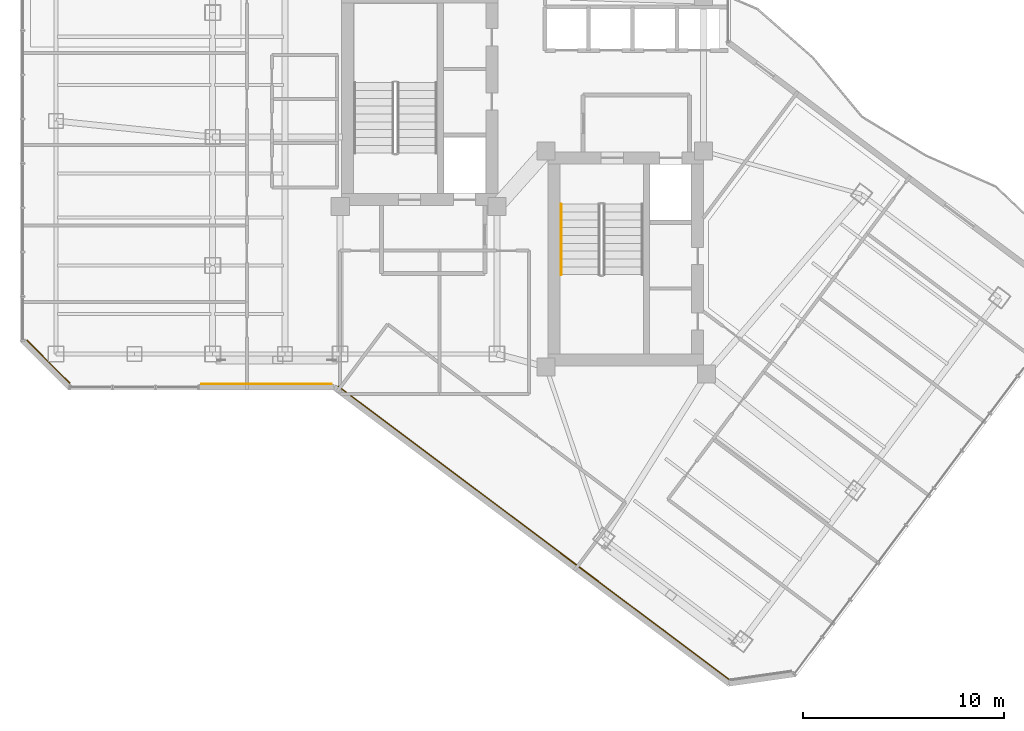
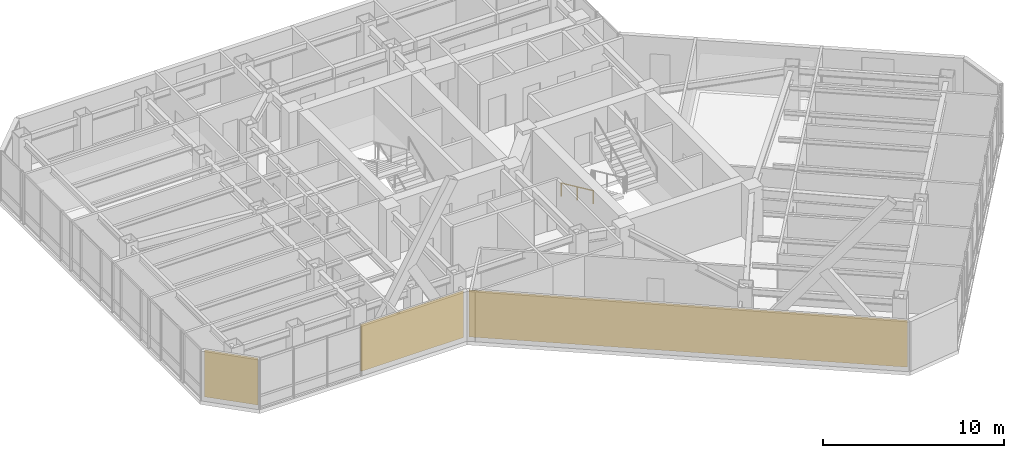
# One storey, part 25 of 27: 3 coverings, 1 railing.
"""IFC4 building model written with IfcOpenShell, lengths in metres."""

import ifcopenshell
import ifcopenshell.guid

model = None  # the IFC model being written
_history = None  # IfcOwnerHistory: only IFC2X3 demands one
_inside = {}  # id of a spatial element -> (the spatial element, [elements in it])
_under = {}  # id of a project, library or spatial element -> (it, [spatial elements below it])
_declared = {}  # id of a project -> (the project, [libraries it declares])
_typed = {}  # id of a type object -> (the type object, [elements of that type])
_made_of = {}  # id of a material, layer set ... -> (it, [elements and type objects made of it])


def new_model(schema):
    """Start an empty IFC model of exactly this schema.

    Asked for "IFC4X3", IfcOpenShell would pick the latest addendum, in which some entities
    have other attributes; the version numbers below select the first issue.
    IFC2X3 requires an IfcOwnerHistory on every rooted entity: one is made here for all.
    """
    global model, _history
    if schema == "IFC4X3":
        model = ifcopenshell.file(schema_version=(4, 3, 0, 0))
    else:
        model = ifcopenshell.file(schema=schema)
    _inside.clear()
    _under.clear()
    _declared.clear()
    _typed.clear()
    _made_of.clear()
    _history = None
    if model.schema == "IFC2X3":
        org = make("IfcOrganization", Name="unknown")
        user = make(
            "IfcPersonAndOrganization",
            ThePerson=make("IfcPerson", FamilyName="unknown"),
            TheOrganization=org,
        )
        app = make(
            "IfcApplication",
            ApplicationDeveloper=org,
            Version="unknown",
            ApplicationFullName="unknown",
            ApplicationIdentifier="unknown",
        )
        _history = make(
            "IfcOwnerHistory",
            OwningUser=user,
            OwningApplication=app,
            ChangeAction="ADDED",
            CreationDate=0,
        )
    return model


def make(cls, **values):
    """One entity of the class cls with the attributes given. An attribute that is None is left unset."""
    return model.create_entity(
        cls, **{name: value for name, value in values.items() if value is not None}
    )


def rooted(cls, **values):
    """An entity with a GlobalId (a new one), such as an element, a storey or a relation."""
    return make(cls, GlobalId=ifcopenshell.guid.new(), OwnerHistory=_history, **values)


def si_unit(unit_type, name, prefix=None):
    """IfcSIUnit, for example si_unit("LENGTHUNIT", "METRE", prefix="MILLI")."""
    return make("IfcSIUnit", UnitType=unit_type, Prefix=prefix, Name=name)


def assignment(units):
    """IfcUnitAssignment: the units of a project."""
    return None if units is None else make("IfcUnitAssignment", Units=units)


def point(xyz):
    """IfcCartesianPoint."""
    return None if xyz is None else make("IfcCartesianPoint", Coordinates=xyz)


def direction(xyz):
    """IfcDirection."""
    return None if xyz is None else make("IfcDirection", DirectionRatios=xyz)


def frame(location, z_axis=None, x_axis=None):
    """IfcAxis2Placement3D, a coordinate frame: its origin and axes. An axis left out is left unset."""
    return make(
        "IfcAxis2Placement3D",
        Location=point(location),
        Axis=direction(z_axis),
        RefDirection=direction(x_axis),
    )


def frame_2d(location, x_axis=None):
    """IfcAxis2Placement2D, a coordinate frame in the plane: its origin and x axis."""
    return make(
        "IfcAxis2Placement2D", Location=point(location), RefDirection=direction(x_axis)
    )


def origin():
    """The frame at (0, 0, 0) with its axes left unset."""
    return frame((0.0, 0.0, 0.0))


def origin_2d():
    """The frame at (0, 0) in the plane with its x axis left unset."""
    return frame_2d((0.0, 0.0))


def place(relative_to, where):
    """IfcLocalPlacement: puts the frame where relative to a parent placement (None: the world)."""
    return make(
        "IfcLocalPlacement", PlacementRelTo=relative_to, RelativePlacement=where
    )


def context(
    kind, dimensions, precision=None, world=None, true_north=None, identifier=None
):
    """IfcGeometricRepresentationContext, for example the 3D "Model" context."""
    return make(
        "IfcGeometricRepresentationContext",
        ContextIdentifier=identifier,
        ContextType=kind,
        CoordinateSpaceDimension=dimensions,
        Precision=precision,
        WorldCoordinateSystem=world,
        TrueNorth=true_north,
    )


def subcontext(parent, identifier, kind, view, scale=None):
    """IfcGeometricRepresentationSubContext, for example "Body" below "Model"."""
    return make(
        "IfcGeometricRepresentationSubContext",
        ContextIdentifier=identifier,
        ContextType=kind,
        ParentContext=parent,
        TargetScale=scale,
        TargetView=view,
    )


def project(units=None, contexts=None):
    """IfcProject with its units and contexts."""
    return rooted(
        "IfcProject",
        Name="project",
        RepresentationContexts=contexts,
        UnitsInContext=assignment(units),
    )


def spatial(cls, under=None, at=None, **own):
    """A site, building, storey or space (cls), placed at a placement, below another one or the project."""
    s = rooted(cls, ObjectPlacement=at, **own)
    if under is not None:
        _under.setdefault(under.id(), (under, []))[1].append(s)
    return s


def profile(cls, at=None, kind="AREA", **sizes):
    """A parametric profile (cls). Its sizes go by their IFC names, for example OverallWidth=200.0."""
    return make(cls, ProfileType=kind, Position=at, **sizes)


def rectangle(**sizes):
    """IfcRectangleProfileDef."""
    return profile("IfcRectangleProfileDef", **sizes)


def circle(**sizes):
    """IfcCircleProfileDef."""
    return profile("IfcCircleProfileDef", **sizes)


def extrude(swept, where, along, depth):
    """IfcExtrudedAreaSolid: the profile swept, set in the frame where, extruded along a direction by depth."""
    return make(
        "IfcExtrudedAreaSolid",
        SweptArea=swept,
        Position=where,
        ExtrudedDirection=direction(along),
        Depth=depth,
    )


def shape(context_of_items, identifier, shape_type, items):
    """IfcShapeRepresentation: the items that make up one representation, for example the "Body"."""
    return make(
        "IfcShapeRepresentation",
        ContextOfItems=context_of_items,
        RepresentationIdentifier=identifier,
        RepresentationType=shape_type,
        Items=items,
    )


def material(Name=None, Category=None):
    """IfcMaterial."""
    return make("IfcMaterial", Name=Name, Category=Category)


def layer(
    of_material, thickness, ventilated=None, Name=None, Category=None, Priority=None
):
    """IfcMaterialLayer: one layer of a wall or slab, of a material (None: an air gap)."""
    return make(
        "IfcMaterialLayer",
        Material=of_material,
        LayerThickness=thickness,
        IsVentilated=ventilated,
        Name=Name,
        Category=Category,
        Priority=Priority,
    )


def layer_set(layers, Name=None):
    """IfcMaterialLayerSet."""
    return make("IfcMaterialLayerSet", MaterialLayers=layers, LayerSetName=Name)


def made_of(thing, what):
    """Note that an element or type object is made of a material, layer set ...; save() writes the relation."""
    if what is not None:
        _made_of.setdefault(what.id(), (what, []))[1].append(thing)
    return thing


def type_object(cls, material=None, **own):
    """A type object (cls), such as IfcWallType, which elements share."""
    return made_of(rooted(cls, **own), material)


def element(
    cls,
    number,
    at=None,
    inside=None,
    cuts=None,
    type_object=None,
    material=None,
    context=None,
    identifier="Body",
    shape_type=None,
    held_by="IfcProductDefinitionShape",
    body=None,
    shapes=None,
    **own,
):
    """One element of the class cls, such as IfcWall. Its Tag is "e" and its number.

    at: its placement. inside: the storey or other place that contains it. cuts: it is an
    opening in that element (IfcRelVoidsElement). A single representation is given by context,
    identifier, shape_type and body (its items); several are given by shapes. held_by: the class
    of the entity that holds the representations. save() writes the other relations.
    """
    e = rooted(cls, Tag="e%d" % number, ObjectPlacement=at, **own)
    if body is not None:
        shapes = [shape(context, identifier, shape_type, body)]
    if shapes is not None:
        e.Representation = make(held_by, Representations=shapes)
    if inside is not None:
        _inside.setdefault(inside.id(), (inside, []))[1].append(e)
    if cuts is not None:
        rooted(
            "IfcRelVoidsElement", RelatingBuildingElement=cuts, RelatedOpeningElement=e
        )
    if type_object is not None:
        _typed.setdefault(type_object.id(), (type_object, []))[1].append(e)
    return made_of(e, material)


def aggregate(whole, parts):
    """IfcRelAggregates: a whole, such as a stair, and the parts it consists of."""
    return rooted("IfcRelAggregates", RelatingObject=whole, RelatedObjects=parts)


def save(model, path):
    """Write the relations noted so far, then the file.

    IfcRelAggregates (storeys below a building ...), IfcRelContainedInSpatialStructure (elements
    in a storey), IfcRelDefinesByType, IfcRelAssociatesMaterial and IfcRelDeclares: one each for
    every whole, place, type object, material and project.
    """
    for whole, parts in _under.values():
        aggregate(whole, parts)
    for where, things in _inside.values():
        rooted(
            "IfcRelContainedInSpatialStructure",
            RelatedElements=things,
            RelatingStructure=where,
        )
    for kind, things in _typed.values():
        rooted("IfcRelDefinesByType", RelatedObjects=things, RelatingType=kind)
    for what, things in _made_of.values():
        rooted("IfcRelAssociatesMaterial", RelatedObjects=things, RelatingMaterial=what)
    for by, libraries in _declared.values():
        rooted("IfcRelDeclares", RelatingContext=by, RelatedDefinitions=libraries)
    model.write(path)


model = new_model("IFC4")

# Units and contexts
model_context = context("Model", 3, precision=1e-05, world=origin(), true_north=direction((0.0, 1.0)))
body_context = subcontext(model_context, "Body", "Model", "MODEL_VIEW")
ifc_project = project(units=[si_unit("LENGTHUNIT", "METRE"), si_unit("AREAUNIT", "SQUARE_METRE"), si_unit("VOLUMEUNIT", "CUBIC_METRE"), si_unit("PLANEANGLEUNIT", "RADIAN"), si_unit("MASSUNIT", "GRAM", prefix="KILO")], contexts=[model_context])

# Site, building, storey
site_placement = place(None, origin())
site = spatial("IfcSite", under=ifc_project, at=site_placement, CompositionType="ELEMENT")
building_placement = place(site_placement, origin())
building = spatial("IfcBuilding", under=site, at=building_placement, Name="Hatsunagi Terrace Concourse", CompositionType="ELEMENT")
storey_placement = place(building_placement, frame((0.0, 0.0, 167.25)))
storey = spatial("IfcBuildingStorey", under=building, at=storey_placement, Name="L44", CompositionType="ELEMENT", Elevation=167.25)

# Railing
ifc_material_1 = material(Name="Stainless steel", Category="steel")
ifc_layer_1 = layer(ifc_material_1, 0.044921875)
ifc_layer_set_1 = layer_set([ifc_layer_1], Name="StairPitchHandrail_Tower2000")
railing_type = type_object("IfcRailingType", Name="StairPitchHandrail_Tower2000", PredefinedType="HANDRAIL", material=ifc_layer_set_1)
railing_placement = place(storey_placement, frame((36.550048828125, 32.659912109375, 0.179931640625)))
element("IfcRailing", 1, at=railing_placement, inside=storey, type_object=railing_type, Name="L44 ST-B stair handrail 1", PredefinedType="HANDRAIL", context=body_context, shape_type="SweptSolid", body=[
    extrude(circle(Radius=0.02392578125, at=origin_2d()), frame((0.0, 0.0, 0.8759765625), z_axis=(0.0, -0.907948293929, 0.419082206198), x_axis=(1.0, 0.0, 0.0)), (0.0, 0.0, 1.0), 3.865966796875),
    extrude(circle(Radius=0.02099609375, at=origin_2d()), origin(), (0.0, 0.0, 1.0), 0.851806640625),
    extrude(circle(Radius=0.02099609375, at=origin_2d()), frame((0.0, -1.7548828125, 0.81005859375)), (0.0, 0.0, 1.0), 0.851806640625),
    extrude(circle(Radius=0.02099609375, at=origin_2d()), frame((0.0, -3.510009765625, 1.6201171875)), (0.0, 0.0, 1.0), 0.851806640625),
])

# Coverings
ifc_material_2 = material(Name="Unglazed Warm Terracotta Rainscreen Tile", Category="masonry")
ifc_layer_2 = layer(ifc_material_2, 0.044921875)
ifc_layer_set_2 = layer_set([ifc_layer_2], Name="TerracottaRainscreenCladding_45")
covering_type = type_object("IfcCoveringType", Name="TerracottaRainscreenCladding_45", PredefinedType="CLADDING", material=ifc_layer_set_2)
covering_1_placement = place(storey_placement, frame((35.179931640625, 16.29296875, 0.10009765625), z_axis=(0.0, 0.0, 1.0), x_axis=(-0.800005211305, 0.599993051531, 0.0)))
element("IfcCovering", 2, at=covering_1_placement, inside=storey, type_object=covering_type, Name="Terracotta Rainscreen Cladding L44-05", PredefinedType="CLADDING", context=body_context, shape_type="SweptSolid", body=[
    extrude(rectangle(XDim=24.34912109375, YDim=0.044921875, at=origin_2d()), origin(), (0.0, 0.0, 1.0), 3.14990234375),
])
covering_2_placement = place(storey_placement, frame((21.873046875, 23.701904296875, 0.10009765625), z_axis=(0.0, 0.0, 1.0), x_axis=(-1.0, 0.0, 0.0)))
element("IfcCovering", 3, at=covering_2_placement, inside=storey, type_object=covering_type, Name="Terracotta Rainscreen Cladding L44-06", PredefinedType="CLADDING", context=body_context, shape_type="SweptSolid", body=[
    extrude(rectangle(XDim=6.507080078125, YDim=0.044921875, at=origin_2d()), origin(), (0.0, 0.0, 1.0), 3.14990234375),
])
covering_3_placement = place(storey_placement, frame((11.013916015625, 24.81396484375, 0.10009765625), z_axis=(0.0, 0.0, 1.0), x_axis=(-0.707106781187, 0.707106781187, 0.0)))
element("IfcCovering", 4, at=covering_3_placement, inside=storey, type_object=covering_type, Name="Terracotta Rainscreen Cladding L44-08", PredefinedType="CLADDING", context=body_context, shape_type="SweptSolid", body=[
    extrude(rectangle(XDim=3.0380859375, YDim=0.044921875, at=origin_2d()), origin(), (0.0, 0.0, 1.0), 3.14990234375),
])

save(model, "model.ifc")
